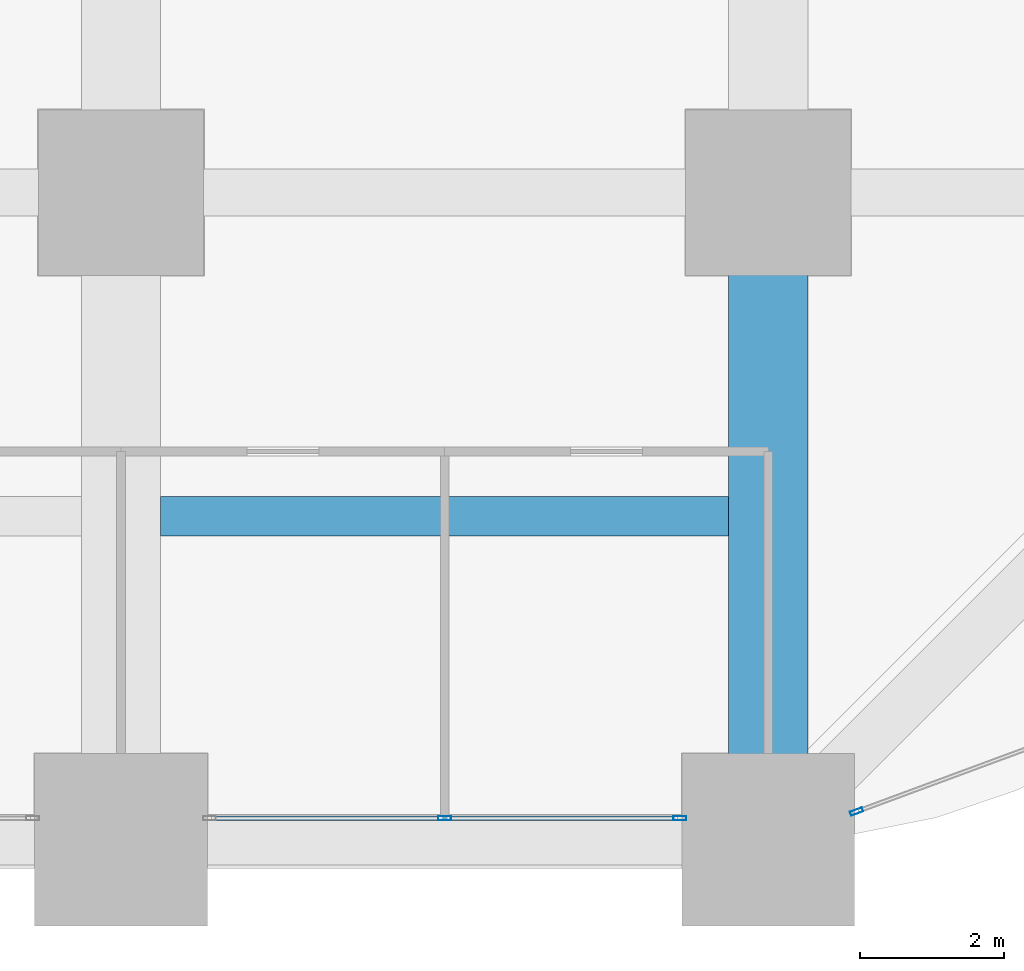
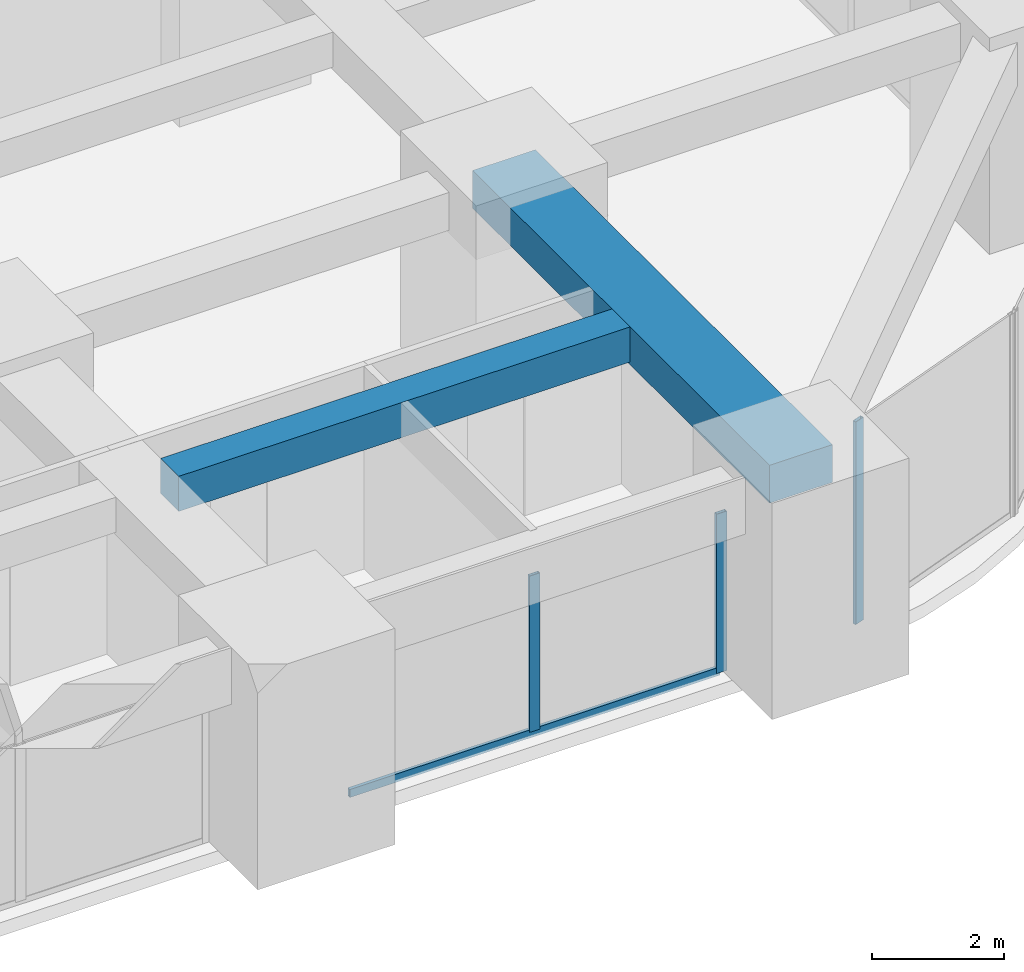
# One storey, part 15 of 44: 4 members, 2 beams, 2 elements without a shape of their own.
"""IFC4 building model written with IfcOpenShell, lengths in metres."""

from ifc_helpers import new_model, si_unit, direction, frame, origin, origin_2d, place, context, subcontext, project, spatial, rectangle, hollow_rectangle, extrude, material, material_profile, profile_set, type_object, element, aggregate, save


model = new_model("IFC4")

# Units and contexts
model_context = context("Model", 3, precision=1e-05, world=origin(), true_north=direction((0.0, 1.0)))
body_context = subcontext(model_context, "Body", "Model", "MODEL_VIEW")
ifc_project = project(units=[si_unit("LENGTHUNIT", "METRE"), si_unit("AREAUNIT", "SQUARE_METRE"), si_unit("VOLUMEUNIT", "CUBIC_METRE"), si_unit("PLANEANGLEUNIT", "RADIAN"), si_unit("MASSUNIT", "GRAM", prefix="KILO")], contexts=[model_context])

# Site, building, storey
site_placement = place(None, origin())
site = spatial("IfcSite", under=ifc_project, at=site_placement, CompositionType="ELEMENT")
building_placement = place(site_placement, origin())
building = spatial("IfcBuilding", under=site, at=building_placement, Name="Zorevar Civic Tower", CompositionType="ELEMENT")
storey_placement = place(building_placement, frame((0.0, 0.0, 43.800048828125)))
storey = spatial("IfcBuildingStorey", under=building, at=storey_placement, Name="L10", CompositionType="ELEMENT", Elevation=43.800048828125)

# Beams
ifc_material_1 = material(Name="Concrete C50/60", Category="concrete")
ifc_material_profile_1 = material_profile(ifc_material_1, rectangle(XDim=1.10009765625, YDim=0.699951171875, at=origin_2d()), Name="RC 1100x700")
ifc_profile_set_1 = profile_set([ifc_material_profile_1], Name="Concrete C50/60")
beam_type_1 = type_object("IfcBeamType", Name="Beam RC 1100x700", PredefinedType="BEAM", material=ifc_profile_set_1)
beam_1_placement = place(storey_placement, frame((54.0, 0.0, 3.39990234375), z_axis=(0.0, 1.0, 0.0), x_axis=(-1.0, 0.0, 0.0)))
element("IfcBeam", 1, at=beam_1_placement, inside=storey, type_object=beam_type_1, Name="Girder L11", PredefinedType="BEAM", context=body_context, shape_type="SweptSolid", body=[
    extrude(rectangle(XDim=1.10009765625, YDim=0.699951171875, at=origin_2d()), origin(), (0.0, 0.0, 1.0), 9.0),
])
ifc_material_2 = material(Name="Concrete C50/60", Category="concrete")
ifc_material_profile_2 = material_profile(ifc_material_2, rectangle(XDim=0.550048828125, YDim=0.64990234375, at=origin_2d()), Name="RC 550x650")
ifc_profile_set_2 = profile_set([ifc_material_profile_2], Name="Concrete C50/60")
beam_type_2 = type_object("IfcBeamType", Name="Beam RC 550x650", PredefinedType="BEAM", material=ifc_profile_set_2)
beam_2_placement = place(storey_placement, frame((45.550048828125, 4.5, 3.425048828125), z_axis=(1.0, 0.0, 0.0), x_axis=(0.0, 1.0, 0.0)))
element("IfcBeam", 2, at=beam_2_placement, inside=storey, type_object=beam_type_2, Name="Secondary beam L11", PredefinedType="BEAM", context=body_context, shape_type="SweptSolid", body=[
    extrude(rectangle(XDim=0.550048828125, YDim=0.64990234375, at=origin_2d()), origin(), (0.0, 0.0, 1.0), 7.89990234375),
])

# Curtain wall, members
ifc_material_3 = material(Name="Dark grey solar-control glass in black aluminium frame", Category="aluminium")
curtain_wall_type = type_object("IfcCurtainWallType", Name="Curtain wall CW2 low zone", PredefinedType="NOTDEFINED", material=ifc_material_3)
curtain_wall_1_placement = place(storey_placement, origin())
curtain_wall_1 = element("IfcCurtainWall", 3, at=curtain_wall_1_placement, inside=storey, type_object=curtain_wall_type, Name="CW2 L10", PredefinedType="NOTDEFINED")
ifc_material_4 = material(Name="Aluminium, black anodised", Category="aluminium")
ifc_material_profile_3 = material_profile(ifc_material_4, hollow_rectangle(XDim=0.06005859375, YDim=0.179931640625, WallThickness=0.00390625, at=origin_2d()), Name="AL 180x60x4")
ifc_profile_set_3 = profile_set([ifc_material_profile_3], Name="Aluminium, black anodised")
member_type_1 = type_object("IfcMemberType", Name="CW2 mullion AL 180x60x4", PredefinedType="MULLION", material=ifc_profile_set_3)
member_1_placement = place(storey_placement, frame((49.5, 0.300048828125, 0.06005859375), z_axis=(0.0, 0.0, 1.0), x_axis=(0.0, 1.0, 0.0)))
member_1 = element("IfcMember", 4, at=member_1_placement, type_object=member_type_1, Name="CW2 mullion 2", PredefinedType="MULLION", context=body_context, shape_type="SweptSolid", body=[
    extrude(hollow_rectangle(XDim=0.06005859375, YDim=0.179931640625, WallThickness=0.00390625, at=origin_2d()), origin(), (0.0, 0.0, 1.0), 2.889892578125),
])
member_2_placement = place(storey_placement, frame((52.77001953125, 0.300048828125, 0.0), z_axis=(0.0, 0.0, 1.0), x_axis=(0.0, 1.0, 0.0)))
member_2 = element("IfcMember", 5, at=member_2_placement, type_object=member_type_1, Name="CW2 mullion 3", PredefinedType="MULLION", context=body_context, shape_type="SweptSolid", body=[
    extrude(hollow_rectangle(XDim=0.06005859375, YDim=0.179931640625, WallThickness=0.00390625, at=origin_2d()), origin(), (0.0, 0.0, 1.0), 2.949951171875),
])

# Curtain wall, member
curtain_wall_2_placement = place(storey_placement, origin())
curtain_wall_2 = element("IfcCurtainWall", 6, at=curtain_wall_2_placement, inside=storey, type_object=curtain_wall_type, Name="CW2 L10", PredefinedType="NOTDEFINED")
member_3_placement = place(storey_placement, frame((55.22802734375, 0.3935546875, 0.0), z_axis=(0.0, 0.0, 1.0), x_axis=(-0.346704012033, 0.937974588163, 0.0)))
member_3 = element("IfcMember", 7, at=member_3_placement, type_object=member_type_1, Name="CW2 mullion 1", PredefinedType="MULLION", context=body_context, shape_type="SweptSolid", body=[
    extrude(hollow_rectangle(XDim=0.06005859375, YDim=0.179931640625, WallThickness=0.00390625, at=origin_2d()), origin(), (0.0, 0.0, 1.0), 3.75),
])
aggregate(curtain_wall_2, [member_3])

# Member
ifc_material_5 = material(Name="Aluminium, black anodised", Category="aluminium")
ifc_material_profile_4 = material_profile(ifc_material_5, hollow_rectangle(XDim=0.06005859375, YDim=0.14990234375, WallThickness=0.00390625, at=origin_2d()), Name="AL 150x60x4")
ifc_profile_set_4 = profile_set([ifc_material_profile_4], Name="Aluminium, black anodised")
member_type_2 = type_object("IfcMemberType", Name="CW2 transom AL 150x60x4", PredefinedType="USERDEFINED", material=ifc_profile_set_4)
member_4_placement = place(storey_placement, frame((46.260009765625, 0.300048828125, 0.030029296875), z_axis=(1.0, 0.0, 0.0), x_axis=(0.0, 1.0, 0.0)))
member_4 = element("IfcMember", 8, at=member_4_placement, type_object=member_type_2, Name="CW2 sill transom", ObjectType="TRANSOM", PredefinedType="USERDEFINED", context=body_context, shape_type="SweptSolid", body=[
    extrude(hollow_rectangle(XDim=0.06005859375, YDim=0.14990234375, WallThickness=0.00390625, at=origin_2d()), origin(), (0.0, 0.0, 1.0), 6.47998046875),
])

aggregate(curtain_wall_1, [member_1, member_2, member_4])

save(model, "model.ifc")
